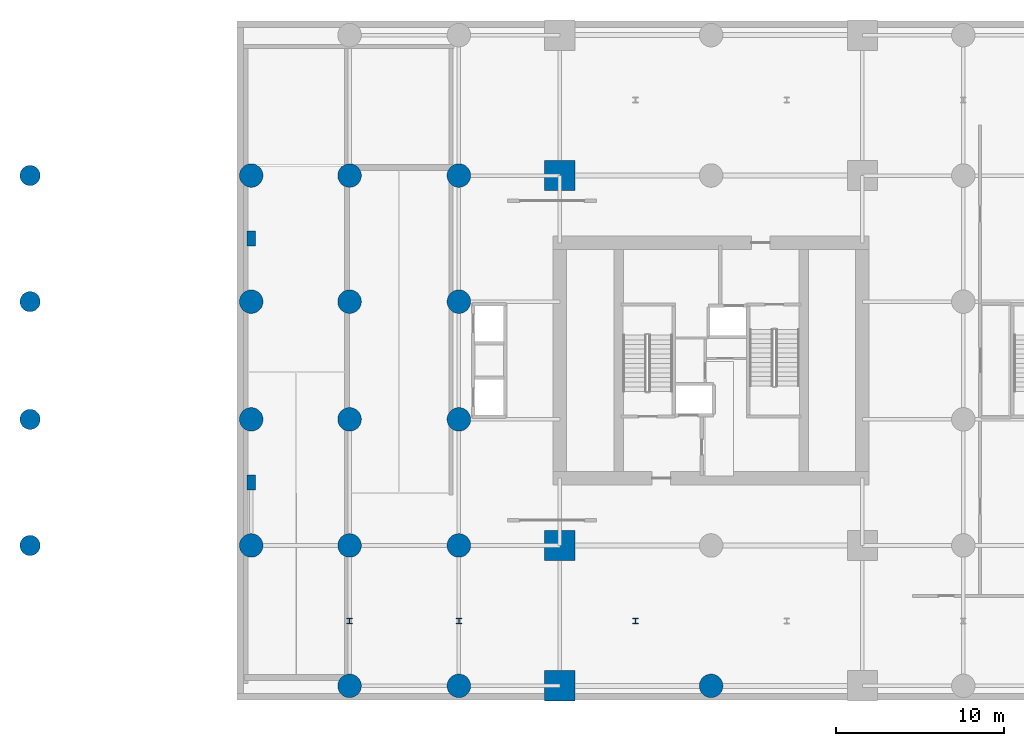
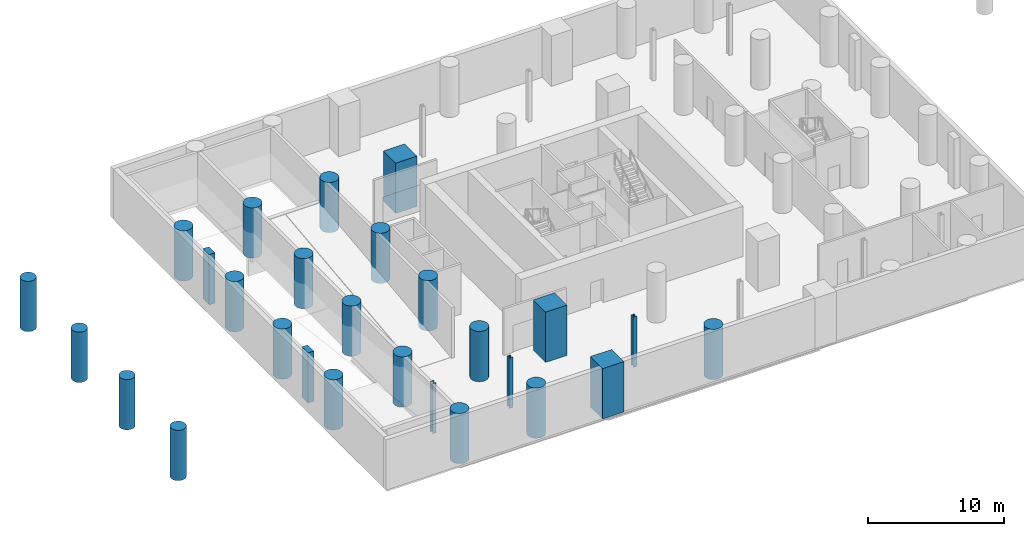
# One storey, part 1 of 8: 27 columns.
"""IFC4 building model written with IfcOpenShell, lengths in metres."""

from ifc_helpers import new_model, si_unit, direction, frame, origin, origin_2d, place, context, subcontext, project, spatial, rectangle, circle, i_section, extrude, material, material_profile, profile_set, type_object, element, save


model = new_model("IFC4")

# Units and contexts
model_context = context("Model", 3, precision=1e-05, world=origin(), true_north=direction((0.0, 1.0)))
body_context = subcontext(model_context, "Body", "Model", "MODEL_VIEW")
ifc_project = project(units=[si_unit("LENGTHUNIT", "METRE"), si_unit("AREAUNIT", "SQUARE_METRE"), si_unit("VOLUMEUNIT", "CUBIC_METRE"), si_unit("PLANEANGLEUNIT", "RADIAN"), si_unit("MASSUNIT", "GRAM", prefix="KILO")], contexts=[model_context])

# Site, building, storey
site_placement = place(None, origin())
site = spatial("IfcSite", under=ifc_project, at=site_placement, CompositionType="ELEMENT")
building_placement = place(site_placement, origin())
building = spatial("IfcBuilding", under=site, at=building_placement, Name="Veldorim Arch Residences", CompositionType="ELEMENT")
storey_placement = place(building_placement, frame((0.0, 0.0, -4.5)))
storey = spatial("IfcBuildingStorey", under=building, at=storey_placement, Name="B1", CompositionType="ELEMENT", Elevation=-4.5)

# Columns
ifc_material_1 = material(Name="Concrete C60/75", Category="concrete")
ifc_material_profile_1 = material_profile(ifc_material_1, circle(Radius=0.60009765625, at=origin_2d()), Name="RC_CIRC_1200")
ifc_profile_set_1 = profile_set([ifc_material_profile_1], Name="Concrete C60/75")
column_type_1 = type_object("IfcColumnType", Name="Structural Column RC_CIRC_1200", PredefinedType="COLUMN", material=ifc_profile_set_1)
for number, where, z_axis, x_axis, name in (
    (1, (-8.5, 13.0, 0.0), (0.0, 0.0, 1.0), (1.0, 0.0, 0.0), "B1 porte-cochere canopy column 01"),
    (2, (-8.5, 20.5, 0.0), (0.0, 0.0, 1.0), (1.0, 0.0, 0.0), "B1 porte-cochere canopy column 02"),
    (3, (-8.5, 27.5, 0.0), (0.0, 0.0, 1.0), (1.0, 0.0, 0.0), "B1 porte-cochere canopy column 03"),
    (4, (-8.5, 35.0, 0.0), (0.0, 0.0, 1.0), (1.0, 0.0, 0.0), "B1 porte-cochere canopy column 04"),
):
    element("IfcColumn", number, at=place(storey_placement, frame(where, z_axis=z_axis, x_axis=x_axis)), inside=storey, type_object=column_type_1, Name=name, PredefinedType="COLUMN", context=body_context, shape_type="SweptSolid", body=[
        extrude(circle(Radius=0.60009765625, at=origin_2d()), origin(), (0.0, 0.0, 1.0), 4.5),
    ])
ifc_material_2 = material(Name="Concrete C60/75", Category="concrete")
ifc_material_profile_2 = material_profile(ifc_material_2, circle(Radius=0.699951171875, at=origin_2d()), Name="RC_CIRC_1400")
ifc_profile_set_2 = profile_set([ifc_material_profile_2], Name="Concrete C60/75")
column_type_2 = type_object("IfcColumnType", Name="Structural Column RC_CIRC_1400", PredefinedType="COLUMN", material=ifc_profile_set_2)
for number, where, z_axis, x_axis, name in (
    (5, (4.64990234375, 13.0, 0.0), (0.0, 0.0, 1.0), (1.0, 0.0, 0.0), "B1 podium column (4.65, 13.00)"),
    (6, (4.64990234375, 20.5, 0.0), (0.0, 0.0, 1.0), (1.0, 0.0, 0.0), "B1 podium column (4.65, 20.50)"),
    (7, (4.64990234375, 27.5, 0.0), (0.0, 0.0, 1.0), (1.0, 0.0, 0.0), "B1 podium column (4.65, 27.50)"),
    (8, (4.64990234375, 35.0, 0.0), (0.0, 0.0, 1.0), (1.0, 0.0, 0.0), "B1 podium column (4.65, 35.00)"),
    (9, (10.5, 4.64990234375, 0.0), (0.0, 0.0, 1.0), (1.0, 0.0, 0.0), "B1 podium column (10.50, 4.65)"),
    (10, (10.5, 13.0, 0.0), (0.0, 0.0, 1.0), (1.0, 0.0, 0.0), "B1 podium column (10.50, 13.00)"),
    (11, (10.5, 20.5, 0.0), (0.0, 0.0, 1.0), (1.0, 0.0, 0.0), "B1 podium column (10.50, 20.50)"),
    (12, (10.5, 27.5, 0.0), (0.0, 0.0, 1.0), (1.0, 0.0, 0.0), "B1 podium column (10.50, 27.50)"),
    (13, (10.5, 35.0, 0.0), (0.0, 0.0, 1.0), (1.0, 0.0, 0.0), "B1 podium column (10.50, 35.00)"),
    (14, (17.0, 4.64990234375, 0.0), (0.0, 0.0, 1.0), (1.0, 0.0, 0.0), "B1 podium column (17.00, 4.65)"),
    (15, (17.0, 13.0, 0.0), (0.0, 0.0, 1.0), (1.0, 0.0, 0.0), "B1 podium column (17.00, 13.00)"),
    (16, (17.0, 20.5, 0.0), (0.0, 0.0, 1.0), (1.0, 0.0, 0.0), "B1 podium column (17.00, 20.50)"),
    (17, (17.0, 27.5, 0.0), (0.0, 0.0, 1.0), (1.0, 0.0, 0.0), "B1 podium column (17.00, 27.50)"),
    (18, (17.0, 35.0, 0.0), (0.0, 0.0, 1.0), (1.0, 0.0, 0.0), "B1 podium column (17.00, 35.00)"),
    (19, (32.0, 4.64990234375, 0.0), (0.0, 0.0, 1.0), (1.0, 0.0, 0.0), "B1 arch mega-pier (32.00, 4.65)"),
):
    element("IfcColumn", number, at=place(storey_placement, frame(where, z_axis=z_axis, x_axis=x_axis)), inside=storey, type_object=column_type_2, Name=name, PredefinedType="COLUMN", context=body_context, shape_type="SweptSolid", body=[
        extrude(circle(Radius=0.699951171875, at=origin_2d()), origin(), (0.0, 0.0, 1.0), 4.5),
    ])
ifc_material_3 = material(Name="Concrete C60/75", Category="concrete")
ifc_material_profile_3 = material_profile(ifc_material_3, rectangle(XDim=1.800048828125, YDim=1.800048828125, at=origin_2d()), Name="RC_RECT_1800x1800")
ifc_profile_set_3 = profile_set([ifc_material_profile_3], Name="Concrete C60/75")
column_type_3 = type_object("IfcColumnType", Name="Structural Column RC_RECT_1800x1800", PredefinedType="COLUMN", material=ifc_profile_set_3)
for number, where, z_axis, x_axis, name in (
    (20, (23.0, 4.64990234375, 0.0), (0.0, 0.0, 1.0), (1.0, 0.0, 0.0), "B1 arch mega-pier (23.00, 4.65)"),
    (21, (23.0, 13.0, 0.0), (0.0, 0.0, 1.0), (1.0, 0.0, 0.0), "B1 arch mega-pier (23.00, 13.00)"),
    (22, (23.0, 35.0, 0.0), (0.0, 0.0, 1.0), (1.0, 0.0, 0.0), "B1 arch mega-pier (23.00, 35.00)"),
):
    element("IfcColumn", number, at=place(storey_placement, frame(where, z_axis=z_axis, x_axis=x_axis)), inside=storey, type_object=column_type_3, Name=name, PredefinedType="COLUMN", context=body_context, shape_type="SweptSolid", body=[
        extrude(rectangle(XDim=1.800048828125, YDim=1.800048828125, at=origin_2d()), origin(), (0.0, 0.0, 1.0), 4.5),
    ])
ifc_material_4 = material(Name="Steel S355", Category="steel")
ifc_material_profile_4 = material_profile(ifc_material_4, i_section(OverallWidth=0.314453125, OverallDepth=0.33984375, WebThickness=0.01904296875, FlangeThickness=0.031494140625, at=origin_2d()), Name="UC305x305x198")
ifc_profile_set_4 = profile_set([ifc_material_profile_4], Name="Steel S355")
column_type_4 = type_object("IfcColumnType", Name="Structural Column UC305x305x198", PredefinedType="COLUMN", material=ifc_profile_set_4)
for number, where, z_axis, x_axis, name in (
    (23, (27.5, 8.5, 0.0), (0.0, 0.0, 1.0), (1.0, 0.0, 0.0), "B1 basement secondary column 01"),
    (24, (10.5, 8.5, 0.0), (0.0, 0.0, 1.0), (1.0, 0.0, 0.0), "B1 basement secondary column 05"),
    (25, (17.0, 8.5, 0.0), (0.0, 0.0, 1.0), (1.0, 0.0, 0.0), "B1 basement secondary column 06"),
):
    element("IfcColumn", number, at=place(storey_placement, frame(where, z_axis=z_axis, x_axis=x_axis)), inside=storey, type_object=column_type_4, Name=name, PredefinedType="COLUMN", context=body_context, shape_type="SweptSolid", body=[
        extrude(i_section(OverallWidth=0.314453125, OverallDepth=0.33984375, WebThickness=0.01904296875, FlangeThickness=0.031494140625, at=origin_2d()), origin(), (0.0, 0.0, 1.0), 4.5),
    ])
ifc_material_5 = material(Name="Concrete C60/75", Category="concrete")
ifc_material_profile_5 = material_profile(ifc_material_5, rectangle(XDim=0.5, YDim=0.89990234375, at=origin_2d()), Name="RC_RECT_500x900")
ifc_profile_set_5 = profile_set([ifc_material_profile_5], Name="Concrete C60/75")
column_type_5 = type_object("IfcColumnType", Name="Structural Pilaster RC_RECT_500x900", PredefinedType="PILASTER", material=ifc_profile_set_5)
for number, where, z_axis, x_axis, name in (
    (26, (4.64990234375, 16.75, 0.0), (0.0, 0.0, 1.0), (1.0, 0.0, 0.0), "B1 facade structural pilaster (4.65, 16.75)"),
    (27, (4.64990234375, 31.25, 0.0), (0.0, 0.0, 1.0), (1.0, 0.0, 0.0), "B1 facade structural pilaster (4.65, 31.25)"),
):
    element("IfcColumn", number, at=place(storey_placement, frame(where, z_axis=z_axis, x_axis=x_axis)), inside=storey, type_object=column_type_5, Name=name, PredefinedType="PILASTER", context=body_context, shape_type="SweptSolid", body=[
        extrude(rectangle(XDim=0.5, YDim=0.89990234375, at=origin_2d()), origin(), (0.0, 0.0, 1.0), 4.5),
    ])

save(model, "model.ifc")
